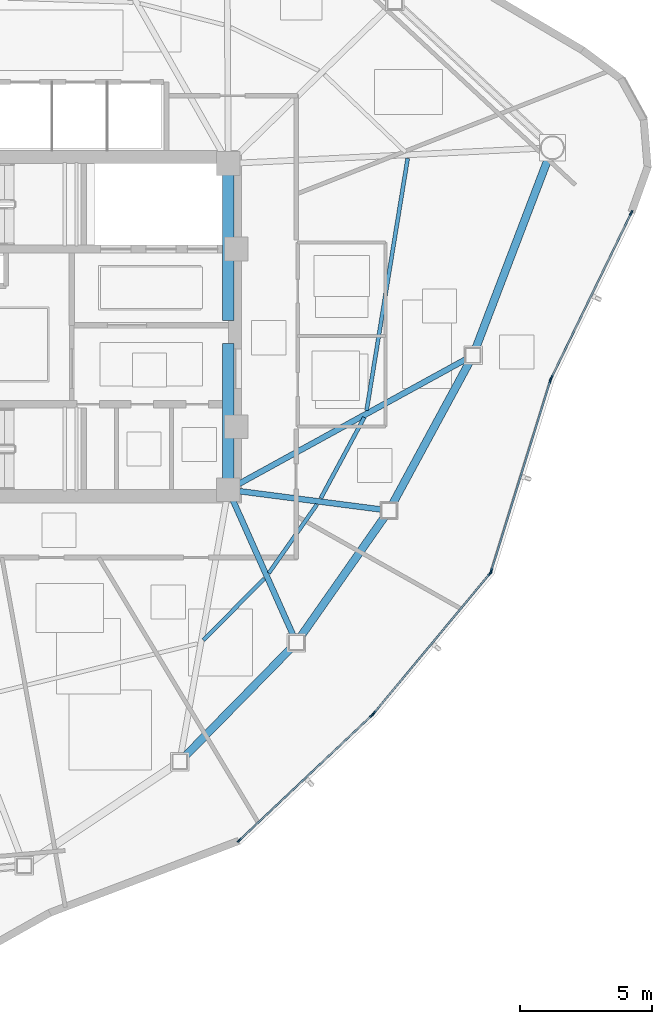
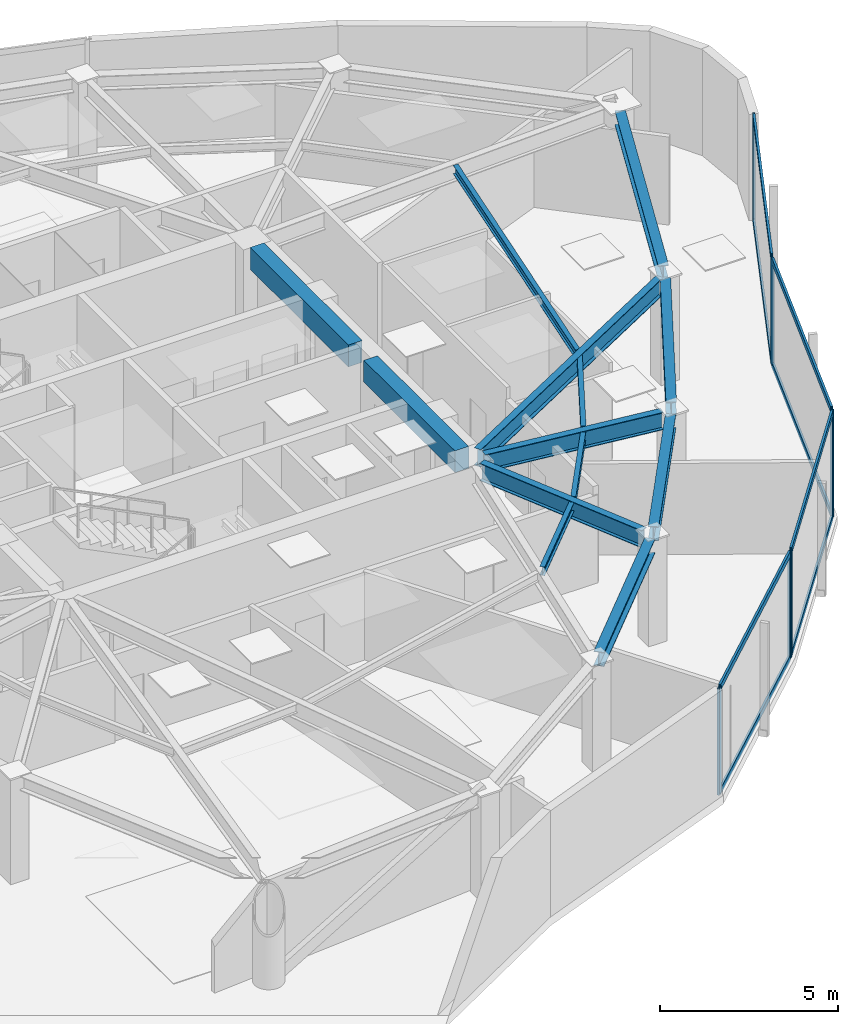
# One storey, part 4 of 13: 16 members, 13 beams, 4 elements without a shape of their own.
"""IFC4 building model written with IfcOpenShell, lengths in metres."""

from ifc_helpers import new_model, si_unit, direction, frame, origin, origin_2d, place, context, subcontext, project, spatial, rectangle, hollow_rectangle, i_section, extrude, source, transform, mapped, material, layer, layer_set, material_profile, profile_set, type_object, type_shapes, element, aggregate, save


model = new_model("IFC4")

# Units and contexts
model_context = context("Model", 3, precision=1e-05, world=origin(), true_north=direction((0.0, 1.0)))
body_context = subcontext(model_context, "Body", "Model", "MODEL_VIEW")
ifc_project = project(units=[si_unit("LENGTHUNIT", "METRE"), si_unit("AREAUNIT", "SQUARE_METRE"), si_unit("VOLUMEUNIT", "CUBIC_METRE"), si_unit("PLANEANGLEUNIT", "RADIAN"), si_unit("MASSUNIT", "GRAM", prefix="KILO")], contexts=[model_context])

# Site, building, storey
site_placement = place(None, origin())
site = spatial("IfcSite", under=ifc_project, at=site_placement, CompositionType="ELEMENT")
building_placement = place(site_placement, origin())
building = spatial("IfcBuilding", under=site, at=building_placement, Name="Tavelor Broadcast Tower", CompositionType="ELEMENT")
storey_placement = place(building_placement, frame((0.0, 0.0, 237.949951171875)))
storey = spatial("IfcBuildingStorey", under=building, at=storey_placement, Name="L56", CompositionType="ELEMENT", Elevation=237.949951171875)

# Beams
ifc_material_1 = material(Name="Concrete C40/50", Category="concrete")
ifc_material_profile_1 = material_profile(ifc_material_1, rectangle(XDim=0.449951171875, YDim=0.75, at=origin_2d()), Name="RC 450x750")
ifc_profile_set_1 = profile_set([ifc_material_profile_1], Name="Concrete C40/50")
beam_type_1 = type_object("IfcBeamType", Name="Basement Core Trim Beam 450x750", PredefinedType="BEAM", material=ifc_profile_set_1)
beam_1_placement = place(storey_placement, frame((56.60009765625, 45.23193359375, 3.275146484375), z_axis=(0.0, 1.0, 0.0), x_axis=(-1.0, 0.0, 0.0)))
element("IfcBeam", 1, at=beam_1_placement, inside=storey, type_object=beam_type_1, Name="L56 Core East-N Tie Girder", PredefinedType="BEAM", context=body_context, shape_type="SweptSolid", body=[
    extrude(rectangle(XDim=0.449951171875, YDim=0.75, at=origin_2d()), origin(), (0.0, 0.0, 1.0), 5.5361328125),
])
beam_2_placement = place(storey_placement, frame((56.60009765625, 39.23193359375, 3.275146484375), z_axis=(0.0, 1.0, 0.0), x_axis=(-1.0, 0.0, 0.0)))
element("IfcBeam", 2, at=beam_2_placement, inside=storey, type_object=beam_type_1, Name="L56 Core East-S Tie Girder", PredefinedType="BEAM", context=body_context, shape_type="SweptSolid", body=[
    extrude(rectangle(XDim=0.449951171875, YDim=0.75, at=origin_2d()), origin(), (0.0, 0.0, 1.0), 5.135986328125),
])
ifc_material_2 = material(Name="Steel S355", Category="steel")
ifc_material_profile_2 = material_profile(ifc_material_2, i_section(OverallWidth=0.14990234375, OverallDepth=0.300048828125, WebThickness=0.007080078125, FlangeThickness=0.0107421875, at=origin_2d()), Name="IPE 300")
ifc_profile_set_2 = profile_set([ifc_material_profile_2], Name="Steel S355")
beam_type_2 = type_object("IfcBeamType", Name="Composite Floor Joist T5 IPE 300", PredefinedType="JOIST", material=ifc_profile_set_2)
beam_3_placement = place(storey_placement, frame((55.6591796875, 33.081298828125, 3.5), z_axis=(0.702295555333, 0.711885491465, 0.0), x_axis=(-0.711885491465, 0.702295555333, 0.0)))
element("IfcBeam", 3, at=beam_3_placement, inside=storey, type_object=beam_type_2, Name="L56 Secondary Composite Floor Joist 09", PredefinedType="JOIST", context=body_context, shape_type="SweptSolid", body=[
    extrude(i_section(OverallWidth=0.14990234375, OverallDepth=0.300048828125, WebThickness=0.007080078125, FlangeThickness=0.0107421875, at=origin_2d()), origin(), (0.0, 0.0, 1.0), 3.2841796875),
])
beam_4_placement = place(storey_placement, frame((58.1435546875, 35.632568359375, 3.5), z_axis=(0.573982104788, 0.81886784244, 0.0), x_axis=(-0.81886784244, 0.573982104788, 0.0)))
element("IfcBeam", 4, at=beam_4_placement, inside=storey, type_object=beam_type_2, Name="L56 Secondary Composite Floor Joist 10", PredefinedType="JOIST", context=body_context, shape_type="SweptSolid", body=[
    extrude(i_section(OverallWidth=0.14990234375, OverallDepth=0.300048828125, WebThickness=0.007080078125, FlangeThickness=0.0107421875, at=origin_2d()), origin(), (0.0, 0.0, 1.0), 3.183349609375),
])
beam_5_placement = place(storey_placement, frame((60.11669921875, 38.476318359375, 3.5), z_axis=(0.473687126384, 0.880693196464, 0.0), x_axis=(-0.880693196464, 0.473687126384, 0.0)))
element("IfcBeam", 5, at=beam_5_placement, inside=storey, type_object=beam_type_2, Name="L56 Secondary Composite Floor Joist 11", PredefinedType="JOIST", context=body_context, shape_type="SweptSolid", body=[
    extrude(i_section(OverallWidth=0.14990234375, OverallDepth=0.300048828125, WebThickness=0.007080078125, FlangeThickness=0.0107421875, at=origin_2d()), origin(), (0.0, 0.0, 1.0), 3.492919921875),
])
beam_6_placement = place(storey_placement, frame((61.859619140625, 41.812744140625, 3.5), z_axis=(0.160809479217, 0.986985466658, 0.0), x_axis=(-0.986985466658, 0.160809479217, 0.0)))
element("IfcBeam", 6, at=beam_6_placement, inside=storey, type_object=beam_type_2, Name="L56 Secondary Composite Floor Joist 12", PredefinedType="JOIST", context=body_context, shape_type="SweptSolid", body=[
    extrude(i_section(OverallWidth=0.14990234375, OverallDepth=0.300048828125, WebThickness=0.007080078125, FlangeThickness=0.0107421875, at=origin_2d()), origin(), (0.0, 0.0, 1.0), 9.708984375),
])
ifc_material_profile_3 = material_profile(ifc_material_2, i_section(OverallWidth=0.300048828125, OverallDepth=0.489990234375, WebThickness=0.011962890625, FlangeThickness=0.02294921875, at=origin_2d()), Name="HEA 500")
ifc_profile_set_3 = profile_set([ifc_material_profile_3], Name="Steel S355")
beam_type_3 = type_object("IfcBeamType", Name="Perimeter Spandrel Beam T5 HEA 500", PredefinedType="SPANDREL", material=ifc_profile_set_3)
beam_7_placement = place(storey_placement, frame((54.955810546875, 28.667236328125, 3.405029296875), z_axis=(0.70018873327, 0.713957798334, 0.0), x_axis=(-0.713957798334, 0.70018873327, 0.0)))
element("IfcBeam", 7, at=beam_7_placement, inside=storey, type_object=beam_type_3, Name="L56 Framed-Tube Ring Spandrel 09", PredefinedType="SPANDREL", context=body_context, shape_type="SweptSolid", body=[
    extrude(i_section(OverallWidth=0.300048828125, OverallDepth=0.489990234375, WebThickness=0.011962890625, FlangeThickness=0.02294921875, at=origin_2d()), origin(), (0.0, 0.0, 1.0), 5.7626953125),
])
beam_8_placement = place(storey_placement, frame((59.357666015625, 33.222900390625, 3.405029296875), z_axis=(0.573798498873, 0.818996509572, 0.0), x_axis=(-0.818996509572, 0.573798498873, 0.0)))
element("IfcBeam", 8, at=beam_8_placement, inside=storey, type_object=beam_type_3, Name="L56 Framed-Tube Ring Spandrel 10", PredefinedType="SPANDREL", context=body_context, shape_type="SweptSolid", body=[
    extrude(i_section(OverallWidth=0.300048828125, OverallDepth=0.489990234375, WebThickness=0.011962890625, FlangeThickness=0.02294921875, at=origin_2d()), origin(), (0.0, 0.0, 1.0), 5.555908203125),
])
beam_9_placement = place(storey_placement, frame((62.84814453125, 38.26220703125, 3.405029296875), z_axis=(0.476295969148, 0.879285021921, 0.0), x_axis=(-0.879285021921, 0.476295969148, 0.0)))
element("IfcBeam", 9, at=beam_9_placement, inside=storey, type_object=beam_type_3, Name="L56 Framed-Tube Ring Spandrel 11", PredefinedType="SPANDREL", context=body_context, shape_type="SweptSolid", body=[
    extrude(i_section(OverallWidth=0.300048828125, OverallDepth=0.489990234375, WebThickness=0.011962890625, FlangeThickness=0.02294921875, at=origin_2d()), origin(), (0.0, 0.0, 1.0), 6.134521484375),
])
beam_10_placement = place(storey_placement, frame((66.010009765625, 44.178466796875, 3.405029296875), z_axis=(0.356691025332, 0.934222410589, 0.0), x_axis=(-0.934222410589, 0.356691025332, 0.0)))
element("IfcBeam", 10, at=beam_10_placement, inside=storey, type_object=beam_type_3, Name="L56 Framed-Tube Ring Spandrel 12", PredefinedType="SPANDREL", context=body_context, shape_type="SweptSolid", body=[
    extrude(i_section(OverallWidth=0.300048828125, OverallDepth=0.489990234375, WebThickness=0.011962890625, FlangeThickness=0.02294921875, at=origin_2d()), origin(), (0.0, 0.0, 1.0), 7.71875),
])
ifc_material_profile_4 = material_profile(ifc_material_2, i_section(OverallWidth=0.219970703125, OverallDepth=0.60009765625, WebThickness=0.011962890625, FlangeThickness=0.01904296875, at=origin_2d()), Name="IPE 600")
ifc_profile_set_4 = profile_set([ifc_material_profile_4], Name="Steel S355")
beam_type_4 = type_object("IfcBeamType", Name="Radial Floor Girder T5 IPE 600", PredefinedType="BEAM", material=ifc_profile_set_4)
beam_11_placement = place(storey_placement, frame((56.77587890625, 38.405517578125, 3.35009765625), z_axis=(0.407317885502, -0.913286450217, 0.0), x_axis=(0.913286450217, 0.407317885502, 0.0)))
element("IfcBeam", 11, at=beam_11_placement, inside=storey, type_object=beam_type_4, Name="L56 Radial Primary Floor Girder 10", PredefinedType="BEAM", context=body_context, shape_type="SweptSolid", body=[
    extrude(i_section(OverallWidth=0.219970703125, OverallDepth=0.60009765625, WebThickness=0.011962890625, FlangeThickness=0.01904296875, at=origin_2d()), origin(), (0.0, 0.0, 1.0), 5.64501953125),
])
beam_12_placement = place(storey_placement, frame((57.0283203125, 38.74462890625, 3.35009765625), z_axis=(0.991728752797, -0.12835139608, 0.0), x_axis=(0.12835139608, 0.991728752797, 0.0)))
element("IfcBeam", 12, at=beam_12_placement, inside=storey, type_object=beam_type_4, Name="L56 Radial Primary Floor Girder 11", PredefinedType="BEAM", context=body_context, shape_type="SweptSolid", body=[
    extrude(i_section(OverallWidth=0.219970703125, OverallDepth=0.60009765625, WebThickness=0.011962890625, FlangeThickness=0.01904296875, at=origin_2d()), origin(), (0.0, 0.0, 1.0), 5.44189453125),
])
beam_13_placement = place(storey_placement, frame((56.978759765625, 39.0078125, 3.35009765625), z_axis=(0.876594261461, 0.481230195201, 0.0), x_axis=(-0.481230195201, 0.876594261461, 0.0)))
element("IfcBeam", 13, at=beam_13_placement, inside=storey, type_object=beam_type_4, Name="L56 Radial Primary Floor Girder 12", PredefinedType="BEAM", context=body_context, shape_type="SweptSolid", body=[
    extrude(i_section(OverallWidth=0.219970703125, OverallDepth=0.60009765625, WebThickness=0.011962890625, FlangeThickness=0.01904296875, at=origin_2d()), origin(), (0.0, 0.0, 1.0), 9.8974609375),
])

# Curtain wall, members
ifc_material_3 = material(Name="Architectural Anodized Aluminium", Category="aluminium")
ifc_layer = layer(ifc_material_3, 0.199951171875)
ifc_layer_set = layer_set([ifc_layer], Name="Architectural Anodized Aluminium")
curtain_wall_type = type_object("IfcCurtainWallType", Name="Tower High-Zone Triple-Glazed Curtain Wall CW04", PredefinedType="NOTDEFINED", material=ifc_layer_set)
curtain_wall_1_placement = place(storey_placement, origin())
curtain_wall_1 = element("IfcCurtainWall", 14, at=curtain_wall_1_placement, inside=storey, type_object=curtain_wall_type, Name="L56 Curtain Wall CW04 Run 605", PredefinedType="NOTDEFINED")
ifc_material_profile_5 = material_profile(ifc_material_3, hollow_rectangle(XDim=0.070068359375, YDim=0.199951171875, WallThickness=0.02197265625, at=origin_2d()), Name="RHS 70x200x22")
ifc_profile_set_5 = profile_set([ifc_material_profile_5], Name="Architectural Anodized Aluminium")
member_type_1 = type_object("IfcMemberType", Name="CW04 Extruded Aluminium Mullion 70x200", PredefinedType="MULLION", material=ifc_profile_set_5)
shared_shape_1 = source(origin(), body_context, "Body", "SweptSolid", [
    extrude(hollow_rectangle(XDim=0.070068359375, YDim=0.199951171875, WallThickness=0.02197265625, at=origin_2d()), origin(), (0.0, 0.0, 1.0), 3.650146484375),
])
type_shapes(member_type_1, [shared_shape_1])
member_1_placement = place(storey_placement, frame((57.019287109375, 25.470458984375, 0.0), z_axis=(0.0, 0.0, 1.0), x_axis=(-0.686139699606, 0.727469801864, 0.0)))
member_1 = element("IfcMember", 15, at=member_1_placement, type_object=member_type_1, Name="CW04 mullion 1", PredefinedType="MULLION", context=body_context, shape_type="MappedRepresentation", body=[
    mapped(shared_shape_1, transform((0.0, 0.0, 0.0), scale=1.0)),
])
member_2_placement = place(storey_placement, frame((62.060546875, 30.225341796875, 0.0), z_axis=(0.0, 0.0, 1.0), x_axis=(-0.686139699606, 0.727469801864, 0.0)))
member_2 = element("IfcMember", 16, at=member_2_placement, type_object=member_type_1, Name="CW04 mullion 2", PredefinedType="MULLION", context=body_context, shape_type="MappedRepresentation", body=[
    mapped(shared_shape_1, transform((0.0, 0.0, 0.0), scale=1.0)),
])

curtain_wall_2_placement = place(storey_placement, origin())
curtain_wall_2 = element("IfcCurtainWall", 17, at=curtain_wall_2_placement, inside=storey, type_object=curtain_wall_type, Name="L56 Curtain Wall CW04 Run 606", PredefinedType="NOTDEFINED")
member_3_placement = place(storey_placement, frame((62.12890625, 30.298095703125, 0.0), z_axis=(0.0, 0.0, 1.0), x_axis=(-0.769124112121, 0.639099444652, 0.0)))
member_3 = element("IfcMember", 18, at=member_3_placement, type_object=member_type_1, Name="CW04 mullion 1", PredefinedType="MULLION", context=body_context, shape_type="MappedRepresentation", body=[
    mapped(shared_shape_1, transform((0.0, 0.0, 0.0), scale=1.0)),
])
member_4_placement = place(storey_placement, frame((66.548095703125, 35.616455078125, 0.0), z_axis=(0.0, 0.0, 1.0), x_axis=(-0.769124112121, 0.639099444652, 0.0)))
member_4 = element("IfcMember", 19, at=member_4_placement, type_object=member_type_1, Name="CW04 mullion 2", PredefinedType="MULLION", context=body_context, shape_type="MappedRepresentation", body=[
    mapped(shared_shape_1, transform((0.0, 0.0, 0.0), scale=1.0)),
])

curtain_wall_3_placement = place(storey_placement, origin())
curtain_wall_3 = element("IfcCurtainWall", 20, at=curtain_wall_3_placement, inside=storey, type_object=curtain_wall_type, Name="L56 Curtain Wall CW04 Run 607", PredefinedType="NOTDEFINED")
member_5_placement = place(storey_placement, frame((66.594970703125, 35.70263671875, 0.0), z_axis=(0.0, 0.0, 1.0), x_axis=(-0.955060571112, 0.296410704103, 0.0)))
member_5 = element("IfcMember", 21, at=member_5_placement, type_object=member_type_1, Name="CW04 mullion 1", PredefinedType="MULLION", context=body_context, shape_type="MappedRepresentation", body=[
    mapped(shared_shape_1, transform((0.0, 0.0, 0.0), scale=1.0)),
])
member_6_placement = place(storey_placement, frame((68.84619140625, 42.956787109375, 0.0), z_axis=(0.0, 0.0, 1.0), x_axis=(-0.955060571112, 0.296410704103, 0.0)))
member_6 = element("IfcMember", 22, at=member_6_placement, type_object=member_type_1, Name="CW04 mullion 2", PredefinedType="MULLION", context=body_context, shape_type="MappedRepresentation", body=[
    mapped(shared_shape_1, transform((0.0, 0.0, 0.0), scale=1.0)),
])

curtain_wall_4_placement = place(storey_placement, origin())
curtain_wall_4 = element("IfcCurtainWall", 23, at=curtain_wall_4_placement, inside=storey, type_object=curtain_wall_type, Name="L56 Curtain Wall CW04 Run 608", PredefinedType="NOTDEFINED")
member_7_placement = place(storey_placement, frame((68.8828125, 43.04931640625, 0.0), z_axis=(0.0, 0.0, 1.0), x_axis=(-0.900137150299, 0.435606600791, 0.0)))
member_7 = element("IfcMember", 24, at=member_7_placement, type_object=member_type_1, Name="CW04 mullion 1", PredefinedType="MULLION", context=body_context, shape_type="MappedRepresentation", body=[
    mapped(shared_shape_1, transform((0.0, 0.0, 0.0), scale=1.0)),
])
member_8_placement = place(storey_placement, frame((71.91845703125, 49.322509765625, 0.0), z_axis=(0.0, 0.0, 1.0), x_axis=(-0.900137150299, 0.435606600791, 0.0)))
member_8 = element("IfcMember", 25, at=member_8_placement, type_object=member_type_1, Name="CW04 mullion 2", PredefinedType="MULLION", context=body_context, shape_type="MappedRepresentation", body=[
    mapped(shared_shape_1, transform((0.0, 0.0, 0.0), scale=1.0)),
])

# Member
ifc_material_profile_6 = material_profile(ifc_material_3, hollow_rectangle(XDim=0.070068359375, YDim=0.199951171875, WallThickness=0.02197265625, at=origin_2d()), Name="RHS 70x200x22")
ifc_profile_set_6 = profile_set([ifc_material_profile_6], Name="Architectural Anodized Aluminium")
member_type_2 = type_object("IfcMemberType", Name="CW04 Extruded Aluminium Transom 70x200", PredefinedType="USERDEFINED", material=ifc_profile_set_6)
shared_shape_2 = source(origin(), body_context, "Body", "SweptSolid", [
    extrude(hollow_rectangle(XDim=0.070068359375, YDim=0.199951171875, WallThickness=0.02197265625, at=origin_2d()), origin(), (0.0, 0.0, 1.0), 7.525390625),
])
member_9_placement = place(storey_placement, frame((66.605224609375, 35.736083984375, 0.03515625), z_axis=(0.296421663743, 0.955057169631, 0.0), x_axis=(-0.955057169631, 0.296421663743, 0.0)))
member_9 = element("IfcMember", 26, at=member_9_placement, type_object=member_type_2, Name="CW04 transom 1.1", ObjectType="TRANSOM", PredefinedType="USERDEFINED", context=body_context, shape_type="MappedRepresentation", body=[
    mapped(shared_shape_2, transform((0.0, 0.0, 0.0), scale=1.0)),
])

member_10_placement = place(storey_placement, frame((66.605224609375, 35.736083984375, 3.614990234375), z_axis=(0.296421663743, 0.955057169631, 0.0), x_axis=(-0.955057169631, 0.296421663743, 0.0)))
member_10 = element("IfcMember", 27, at=member_10_placement, type_object=member_type_2, Name="CW04 transom 1.2", ObjectType="TRANSOM", PredefinedType="USERDEFINED", context=body_context, shape_type="MappedRepresentation", body=[
    mapped(shared_shape_2, transform((0.0, 0.0, 0.0), scale=1.0)),
])

aggregate(curtain_wall_3, [member_5, member_6, member_9, member_10])

shared_shape_3 = source(origin(), body_context, "Body", "SweptSolid", [
    extrude(hollow_rectangle(XDim=0.070068359375, YDim=0.199951171875, WallThickness=0.02197265625, at=origin_2d()), origin(), (0.0, 0.0, 1.0), 6.899169921875),
])
member_11_placement = place(storey_placement, frame((68.89794921875, 43.080810546875, 0.03515625), z_axis=(0.435611799697, 0.900134634354, 0.0), x_axis=(-0.900134634354, 0.435611799697, 0.0)))
member_11 = element("IfcMember", 28, at=member_11_placement, type_object=member_type_2, Name="CW04 transom 1.1", ObjectType="TRANSOM", PredefinedType="USERDEFINED", context=body_context, shape_type="MappedRepresentation", body=[
    mapped(shared_shape_3, transform((0.0, 0.0, 0.0), scale=1.0)),
])

member_12_placement = place(storey_placement, frame((68.89794921875, 43.080810546875, 3.614990234375), z_axis=(0.435611799697, 0.900134634354, 0.0), x_axis=(-0.900134634354, 0.435611799697, 0.0)))
member_12 = element("IfcMember", 29, at=member_12_placement, type_object=member_type_2, Name="CW04 transom 1.2", ObjectType="TRANSOM", PredefinedType="USERDEFINED", context=body_context, shape_type="MappedRepresentation", body=[
    mapped(shared_shape_3, transform((0.0, 0.0, 0.0), scale=1.0)),
])

aggregate(curtain_wall_4, [member_7, member_8, member_11, member_12])

shared_shape_4 = source(origin(), body_context, "Body", "SweptSolid", [
    extrude(hollow_rectangle(XDim=0.070068359375, YDim=0.199951171875, WallThickness=0.02197265625, at=origin_2d()), origin(), (0.0, 0.0, 1.0), 6.859619140625),
])
member_13_placement = place(storey_placement, frame((57.044921875, 25.49462890625, 0.03515625), z_axis=(0.727482808566, 0.686125909175, 0.0), x_axis=(-0.686125909175, 0.727482808566, 0.0)))
member_13 = element("IfcMember", 30, at=member_13_placement, type_object=member_type_2, Name="CW04 transom 1.1", ObjectType="TRANSOM", PredefinedType="USERDEFINED", context=body_context, shape_type="MappedRepresentation", body=[
    mapped(shared_shape_4, transform((0.0, 0.0, 0.0), scale=1.0)),
])

member_14_placement = place(storey_placement, frame((57.044921875, 25.49462890625, 3.614990234375), z_axis=(0.727482808566, 0.686125909175, 0.0), x_axis=(-0.686125909175, 0.727482808566, 0.0)))
member_14 = element("IfcMember", 31, at=member_14_placement, type_object=member_type_2, Name="CW04 transom 1.2", ObjectType="TRANSOM", PredefinedType="USERDEFINED", context=body_context, shape_type="MappedRepresentation", body=[
    mapped(shared_shape_4, transform((0.0, 0.0, 0.0), scale=1.0)),
])

aggregate(curtain_wall_1, [member_1, member_2, member_13, member_14])

shared_shape_5 = source(origin(), body_context, "Body", "SweptSolid", [
    extrude(hollow_rectangle(XDim=0.070068359375, YDim=0.199951171875, WallThickness=0.02197265625, at=origin_2d()), origin(), (0.0, 0.0, 1.0), 6.844970703125),
])
type_shapes(member_type_2, [shared_shape_2, shared_shape_3, shared_shape_4, shared_shape_5])
member_15_placement = place(storey_placement, frame((62.151123046875, 30.324951171875, 0.03515625), z_axis=(0.639127799874, 0.769100549622, 0.0), x_axis=(-0.769100549622, 0.639127799874, 0.0)))
member_15 = element("IfcMember", 32, at=member_15_placement, type_object=member_type_2, Name="CW04 transom 1.1", ObjectType="TRANSOM", PredefinedType="USERDEFINED", context=body_context, shape_type="MappedRepresentation", body=[
    mapped(shared_shape_5, transform((0.0, 0.0, 0.0), scale=1.0)),
])

member_16_placement = place(storey_placement, frame((62.151123046875, 30.324951171875, 3.614990234375), z_axis=(0.639127799874, 0.769100549622, 0.0), x_axis=(-0.769100549622, 0.639127799874, 0.0)))
member_16 = element("IfcMember", 33, at=member_16_placement, type_object=member_type_2, Name="CW04 transom 1.2", ObjectType="TRANSOM", PredefinedType="USERDEFINED", context=body_context, shape_type="MappedRepresentation", body=[
    mapped(shared_shape_5, transform((0.0, 0.0, 0.0), scale=1.0)),
])

aggregate(curtain_wall_2, [member_3, member_4, member_15, member_16])

save(model, "model.ifc")
